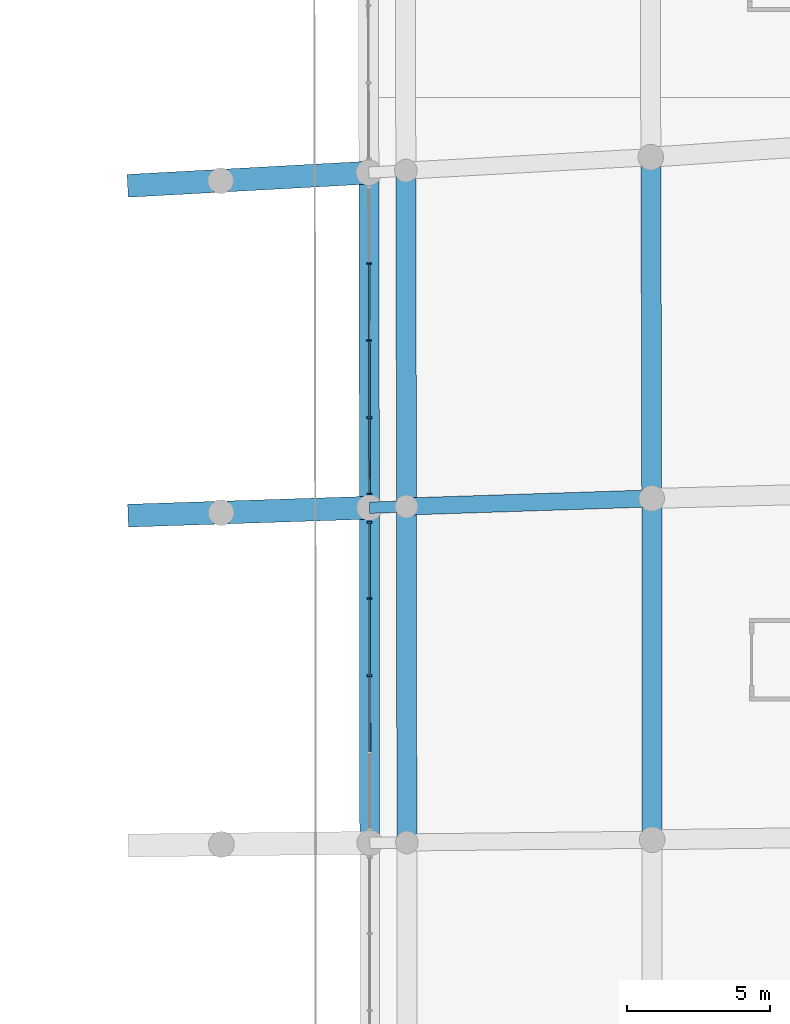
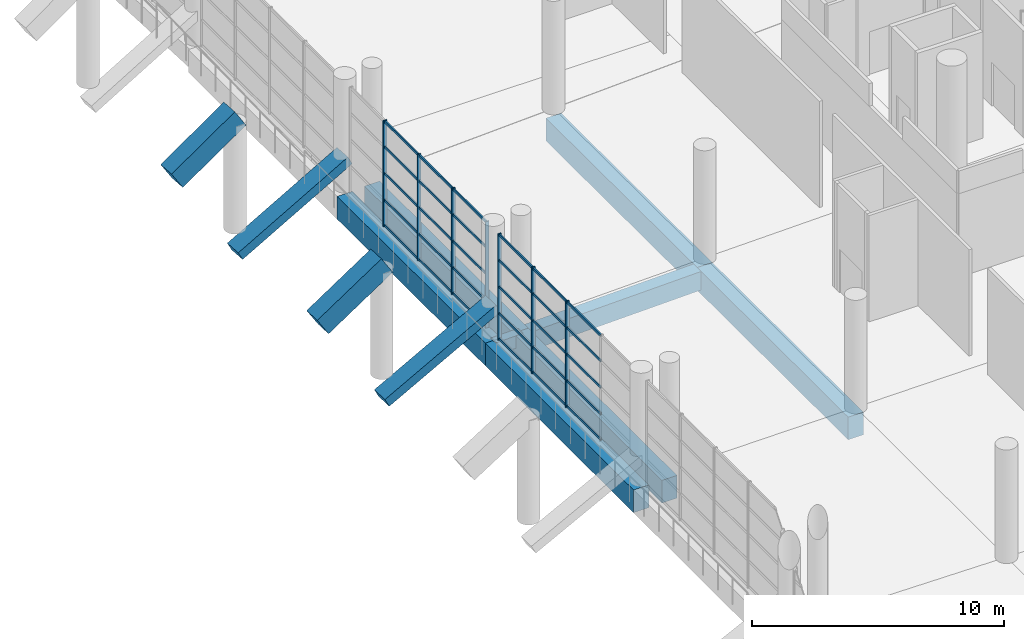
# One storey, part 91 of 271: 37 members, 12 beams, 2 elements without a shape of their own.
"""IFC4 building model written with IfcOpenShell, lengths in metres."""

from ifc_helpers import new_model, si_unit, direction, frame, origin, origin_2d, place, context, subcontext, project, spatial, rectangle, extrude, material, layer, layer_set, material_profile, profile_set, type_object, element, aggregate, save


model = new_model("IFC4")

# Units and contexts
model_context = context("Model", 3, precision=1e-05, world=origin(), true_north=direction((0.0, 1.0)))
body_context = subcontext(model_context, "Body", "Model", "MODEL_VIEW")
ifc_project = project(units=[si_unit("LENGTHUNIT", "METRE"), si_unit("AREAUNIT", "SQUARE_METRE"), si_unit("VOLUMEUNIT", "CUBIC_METRE"), si_unit("PLANEANGLEUNIT", "RADIAN"), si_unit("MASSUNIT", "GRAM", prefix="KILO")], contexts=[model_context])

# Site, building, storey
site_placement = place(None, origin())
site = spatial("IfcSite", under=ifc_project, at=site_placement, CompositionType="ELEMENT")
building_placement = place(site_placement, origin())
building = spatial("IfcBuilding", under=site, at=building_placement, Name="Meseta Stadium", CompositionType="ELEMENT")
storey_placement = place(building_placement, frame((0.0, 0.0, 6.5)))
storey = spatial("IfcBuildingStorey", under=building, at=storey_placement, Name="L01", CompositionType="ELEMENT", Elevation=6.5)

# Curtain wall, members
ifc_material_1 = material(Name="Aluminium", Category="aluminium")
ifc_layer = layer(ifc_material_1, 0.199951171875)
ifc_layer_set = layer_set([ifc_layer], Name="Club glazing curtain wall")
curtain_wall_type = type_object("IfcCurtainWallType", Name="Club glazing curtain wall", PredefinedType="NOTDEFINED", material=ifc_layer_set)
curtain_wall_1_placement = place(storey_placement, origin())
curtain_wall_1 = element("IfcCurtainWall", 1, at=curtain_wall_1_placement, inside=storey, type_object=curtain_wall_type, Name="Club glazing bay 05", PredefinedType="NOTDEFINED")
ifc_material_2 = material(Name="Aluminium", Category="aluminium")
ifc_material_profile_1 = material_profile(ifc_material_2, rectangle(XDim=0.159912109375, YDim=0.06005859375, at=origin_2d()), Name="CW 160x60")
ifc_profile_set_1 = profile_set([ifc_material_profile_1], Name="Aluminium")
member_type_1 = type_object("IfcMemberType", Name="CW mullion 60x160", PredefinedType="MULLION", material=ifc_profile_set_1)
member_1_placement = place(storey_placement, frame((63.59326171875, 11.730712890625, 0.0), z_axis=(0.0, 0.0, 1.0), x_axis=(-0.999999572613, -0.000924539991, 0.0)))
member_1 = element("IfcMember", 2, at=member_1_placement, type_object=member_type_1, Name="CWC mullion 3", PredefinedType="MULLION", context=body_context, shape_type="SweptSolid", body=[
    extrude(rectangle(XDim=0.159912109375, YDim=0.06005859375, at=origin_2d()), origin(), (0.0, 0.0, 1.0), 5.14990234375),
])
member_2_placement = place(storey_placement, frame((63.5908203125, 14.434814453125, 0.0), z_axis=(0.0, 0.0, 1.0), x_axis=(-0.999999572613, -0.000924539991, 0.0)))
member_2 = element("IfcMember", 3, at=member_2_placement, type_object=member_type_1, Name="CWC mullion 4", PredefinedType="MULLION", context=body_context, shape_type="SweptSolid", body=[
    extrude(rectangle(XDim=0.159912109375, YDim=0.06005859375, at=origin_2d()), origin(), (0.0, 0.0, 1.0), 5.14990234375),
])
member_3_placement = place(storey_placement, frame((63.588134765625, 17.10888671875, 0.0), z_axis=(0.0, 0.0, 1.0), x_axis=(-0.999999572613, -0.000924539991, 0.0)))
member_3 = element("IfcMember", 4, at=member_3_placement, type_object=member_type_1, Name="CWC mullion 5", PredefinedType="MULLION", context=body_context, shape_type="SweptSolid", body=[
    extrude(rectangle(XDim=0.159912109375, YDim=0.06005859375, at=origin_2d()), origin(), (0.0, 0.0, 1.0), 5.14990234375),
])

curtain_wall_2_placement = place(storey_placement, origin())
curtain_wall_2 = element("IfcCurtainWall", 5, at=curtain_wall_2_placement, inside=storey, type_object=curtain_wall_type, Name="Club glazing bay 06", PredefinedType="NOTDEFINED")
member_4_placement = place(storey_placement, frame((63.5869140625, 18.097900390625, 0.0), z_axis=(0.0, 0.0, 1.0), x_axis=(-0.999998297516, -0.0018452545, 0.0)))
member_4 = element("IfcMember", 6, at=member_4_placement, type_object=member_type_1, Name="CWC mullion 1", PredefinedType="MULLION", context=body_context, shape_type="SweptSolid", body=[
    extrude(rectangle(XDim=0.159912109375, YDim=0.06005859375, at=origin_2d()), origin(), (0.0, 0.0, 1.0), 5.14990234375),
])
member_5_placement = place(storey_placement, frame((63.58203125, 20.771728515625, 0.0), z_axis=(0.0, 0.0, 1.0), x_axis=(-0.999998297516, -0.0018452545, 0.0)))
member_5 = element("IfcMember", 7, at=member_5_placement, type_object=member_type_1, Name="CWC mullion 2", PredefinedType="MULLION", context=body_context, shape_type="SweptSolid", body=[
    extrude(rectangle(XDim=0.159912109375, YDim=0.06005859375, at=origin_2d()), origin(), (0.0, 0.0, 1.0), 5.14990234375),
])
member_6_placement = place(storey_placement, frame((63.576904296875, 23.475341796875, 0.0), z_axis=(0.0, 0.0, 1.0), x_axis=(-0.999998297516, -0.0018452545, 0.0)))
member_6 = element("IfcMember", 8, at=member_6_placement, type_object=member_type_1, Name="CWC mullion 3", PredefinedType="MULLION", context=body_context, shape_type="SweptSolid", body=[
    extrude(rectangle(XDim=0.159912109375, YDim=0.06005859375, at=origin_2d()), origin(), (0.0, 0.0, 1.0), 5.14990234375),
])
member_7_placement = place(storey_placement, frame((63.572021484375, 26.178955078125, 0.0), z_axis=(0.0, 0.0, 1.0), x_axis=(-0.999998297516, -0.0018452545, 0.0)))
member_7 = element("IfcMember", 9, at=member_7_placement, type_object=member_type_1, Name="CWC mullion 4", PredefinedType="MULLION", context=body_context, shape_type="SweptSolid", body=[
    extrude(rectangle(XDim=0.159912109375, YDim=0.06005859375, at=origin_2d()), origin(), (0.0, 0.0, 1.0), 5.14990234375),
])

# Member
ifc_material_3 = material(Name="Aluminium", Category="aluminium")
ifc_material_profile_2 = material_profile(ifc_material_3, rectangle(XDim=0.06005859375, YDim=0.1201171875, at=origin_2d()), Name="CW 60x120")
ifc_profile_set_2 = profile_set([ifc_material_profile_2], Name="Aluminium")
member_type_2 = type_object("IfcMemberType", Name="CW transom 60x120", PredefinedType="USERDEFINED", material=ifc_profile_set_2)
member_8_placement = place(storey_placement, frame((63.595703125, 9.056884765625, 0.06005859375), z_axis=(-0.000923445908, 0.999999573624, 0.0), x_axis=(-0.999999573624, -0.000923445908, 0.0)))
member_8 = element("IfcMember", 10, at=member_8_placement, type_object=member_type_2, Name="CWC transom 2.1", ObjectType="TRANSOM", PredefinedType="USERDEFINED", context=body_context, shape_type="SweptSolid", body=[
    extrude(rectangle(XDim=0.06005859375, YDim=0.1201171875, at=origin_2d()), origin(), (0.0, 0.0, 1.0), 2.643798828125),
])

member_9_placement = place(storey_placement, frame((63.595703125, 9.056884765625, 1.28759765625), z_axis=(-0.000923445908, 0.999999573624, 0.0), x_axis=(-0.999999573624, -0.000923445908, 0.0)))
member_9 = element("IfcMember", 11, at=member_9_placement, type_object=member_type_2, Name="CWC transom 2.2", ObjectType="TRANSOM", PredefinedType="USERDEFINED", context=body_context, shape_type="SweptSolid", body=[
    extrude(rectangle(XDim=0.06005859375, YDim=0.1201171875, at=origin_2d()), origin(), (0.0, 0.0, 1.0), 2.643798828125),
])

member_10_placement = place(storey_placement, frame((63.595703125, 9.056884765625, 2.574951171875), z_axis=(-0.000923445908, 0.999999573624, 0.0), x_axis=(-0.999999573624, -0.000923445908, 0.0)))
member_10 = element("IfcMember", 12, at=member_10_placement, type_object=member_type_2, Name="CWC transom 2.3", ObjectType="TRANSOM", PredefinedType="USERDEFINED", context=body_context, shape_type="SweptSolid", body=[
    extrude(rectangle(XDim=0.06005859375, YDim=0.1201171875, at=origin_2d()), origin(), (0.0, 0.0, 1.0), 2.643798828125),
])

member_11_placement = place(storey_placement, frame((63.595703125, 9.056884765625, 3.862548828125), z_axis=(-0.000923445908, 0.999999573624, 0.0), x_axis=(-0.999999573624, -0.000923445908, 0.0)))
member_11 = element("IfcMember", 13, at=member_11_placement, type_object=member_type_2, Name="CWC transom 2.4", ObjectType="TRANSOM", PredefinedType="USERDEFINED", context=body_context, shape_type="SweptSolid", body=[
    extrude(rectangle(XDim=0.06005859375, YDim=0.1201171875, at=origin_2d()), origin(), (0.0, 0.0, 1.0), 2.643798828125),
])

member_12_placement = place(storey_placement, frame((63.595703125, 9.056884765625, 5.090087890625), z_axis=(-0.000923445908, 0.999999573624, 0.0), x_axis=(-0.999999573624, -0.000923445908, 0.0)))
member_12 = element("IfcMember", 14, at=member_12_placement, type_object=member_type_2, Name="CWC transom 2.5", ObjectType="TRANSOM", PredefinedType="USERDEFINED", context=body_context, shape_type="SweptSolid", body=[
    extrude(rectangle(XDim=0.06005859375, YDim=0.1201171875, at=origin_2d()), origin(), (0.0, 0.0, 1.0), 2.643798828125),
])

member_13_placement = place(storey_placement, frame((63.59326171875, 11.7607421875, 0.06005859375), z_axis=(-0.000923360641, 0.999999573702, 0.0), x_axis=(-0.999999573702, -0.000923360641, 0.0)))
member_13 = element("IfcMember", 15, at=member_13_placement, type_object=member_type_2, Name="CWC transom 3.1", ObjectType="TRANSOM", PredefinedType="USERDEFINED", context=body_context, shape_type="SweptSolid", body=[
    extrude(rectangle(XDim=0.06005859375, YDim=0.1201171875, at=origin_2d()), origin(), (0.0, 0.0, 1.0), 2.64404296875),
])

member_14_placement = place(storey_placement, frame((63.59326171875, 11.7607421875, 1.28759765625), z_axis=(-0.000923360641, 0.999999573702, 0.0), x_axis=(-0.999999573702, -0.000923360641, 0.0)))
member_14 = element("IfcMember", 16, at=member_14_placement, type_object=member_type_2, Name="CWC transom 3.2", ObjectType="TRANSOM", PredefinedType="USERDEFINED", context=body_context, shape_type="SweptSolid", body=[
    extrude(rectangle(XDim=0.06005859375, YDim=0.1201171875, at=origin_2d()), origin(), (0.0, 0.0, 1.0), 2.64404296875),
])

member_15_placement = place(storey_placement, frame((63.59326171875, 11.7607421875, 2.574951171875), z_axis=(-0.000923360641, 0.999999573702, 0.0), x_axis=(-0.999999573702, -0.000923360641, 0.0)))
member_15 = element("IfcMember", 17, at=member_15_placement, type_object=member_type_2, Name="CWC transom 3.3", ObjectType="TRANSOM", PredefinedType="USERDEFINED", context=body_context, shape_type="SweptSolid", body=[
    extrude(rectangle(XDim=0.06005859375, YDim=0.1201171875, at=origin_2d()), origin(), (0.0, 0.0, 1.0), 2.64404296875),
])

member_16_placement = place(storey_placement, frame((63.59326171875, 11.7607421875, 3.862548828125), z_axis=(-0.000923360641, 0.999999573702, 0.0), x_axis=(-0.999999573702, -0.000923360641, 0.0)))
member_16 = element("IfcMember", 18, at=member_16_placement, type_object=member_type_2, Name="CWC transom 3.4", ObjectType="TRANSOM", PredefinedType="USERDEFINED", context=body_context, shape_type="SweptSolid", body=[
    extrude(rectangle(XDim=0.06005859375, YDim=0.1201171875, at=origin_2d()), origin(), (0.0, 0.0, 1.0), 2.64404296875),
])

member_17_placement = place(storey_placement, frame((63.59326171875, 11.7607421875, 5.090087890625), z_axis=(-0.000923360641, 0.999999573702, 0.0), x_axis=(-0.999999573702, -0.000923360641, 0.0)))
member_17 = element("IfcMember", 19, at=member_17_placement, type_object=member_type_2, Name="CWC transom 3.5", ObjectType="TRANSOM", PredefinedType="USERDEFINED", context=body_context, shape_type="SweptSolid", body=[
    extrude(rectangle(XDim=0.06005859375, YDim=0.1201171875, at=origin_2d()), origin(), (0.0, 0.0, 1.0), 2.64404296875),
])

member_18_placement = place(storey_placement, frame((63.590576171875, 14.46484375, 0.06005859375), z_axis=(-0.000840571292, 0.99999964672, 0.0), x_axis=(-0.99999964672, -0.000840571292, 0.0)))
member_18 = element("IfcMember", 20, at=member_18_placement, type_object=member_type_2, Name="CWC transom 4.1", ObjectType="TRANSOM", PredefinedType="USERDEFINED", context=body_context, shape_type="SweptSolid", body=[
    extrude(rectangle(XDim=0.06005859375, YDim=0.1201171875, at=origin_2d()), origin(), (0.0, 0.0, 1.0), 2.614013671875),
])

member_19_placement = place(storey_placement, frame((63.590576171875, 14.46484375, 1.28759765625), z_axis=(-0.000840571292, 0.99999964672, 0.0), x_axis=(-0.99999964672, -0.000840571292, 0.0)))
member_19 = element("IfcMember", 21, at=member_19_placement, type_object=member_type_2, Name="CWC transom 4.2", ObjectType="TRANSOM", PredefinedType="USERDEFINED", context=body_context, shape_type="SweptSolid", body=[
    extrude(rectangle(XDim=0.06005859375, YDim=0.1201171875, at=origin_2d()), origin(), (0.0, 0.0, 1.0), 2.614013671875),
])

member_20_placement = place(storey_placement, frame((63.590576171875, 14.46484375, 2.574951171875), z_axis=(-0.000840571292, 0.99999964672, 0.0), x_axis=(-0.99999964672, -0.000840571292, 0.0)))
member_20 = element("IfcMember", 22, at=member_20_placement, type_object=member_type_2, Name="CWC transom 4.3", ObjectType="TRANSOM", PredefinedType="USERDEFINED", context=body_context, shape_type="SweptSolid", body=[
    extrude(rectangle(XDim=0.06005859375, YDim=0.1201171875, at=origin_2d()), origin(), (0.0, 0.0, 1.0), 2.614013671875),
])

member_21_placement = place(storey_placement, frame((63.590576171875, 14.46484375, 3.862548828125), z_axis=(-0.000840571292, 0.99999964672, 0.0), x_axis=(-0.99999964672, -0.000840571292, 0.0)))
member_21 = element("IfcMember", 23, at=member_21_placement, type_object=member_type_2, Name="CWC transom 4.4", ObjectType="TRANSOM", PredefinedType="USERDEFINED", context=body_context, shape_type="SweptSolid", body=[
    extrude(rectangle(XDim=0.06005859375, YDim=0.1201171875, at=origin_2d()), origin(), (0.0, 0.0, 1.0), 2.614013671875),
])

member_22_placement = place(storey_placement, frame((63.590576171875, 14.46484375, 5.090087890625), z_axis=(-0.000840571292, 0.99999964672, 0.0), x_axis=(-0.99999964672, -0.000840571292, 0.0)))
member_22 = element("IfcMember", 24, at=member_22_placement, type_object=member_type_2, Name="CWC transom 4.5", ObjectType="TRANSOM", PredefinedType="USERDEFINED", context=body_context, shape_type="SweptSolid", body=[
    extrude(rectangle(XDim=0.06005859375, YDim=0.1201171875, at=origin_2d()), origin(), (0.0, 0.0, 1.0), 2.614013671875),
])

aggregate(curtain_wall_1, [member_1, member_2, member_3, member_8, member_9, member_10, member_11, member_12, member_13, member_14, member_15, member_16, member_17, member_18, member_19, member_20, member_21, member_22])

member_23_placement = place(storey_placement, frame((63.5869140625, 18.1279296875, 0.06005859375), z_axis=(-0.00186810808, 0.999998255085, 0.0), x_axis=(-0.999998255085, -0.00186810808, 0.0)))
member_23 = element("IfcMember", 25, at=member_23_placement, type_object=member_type_2, Name="CWC transom 1.1", ObjectType="TRANSOM", PredefinedType="USERDEFINED", context=body_context, shape_type="SweptSolid", body=[
    extrude(rectangle(XDim=0.06005859375, YDim=0.1201171875, at=origin_2d()), origin(), (0.0, 0.0, 1.0), 2.61376953125),
])

member_24_placement = place(storey_placement, frame((63.5869140625, 18.1279296875, 1.28759765625), z_axis=(-0.00186810808, 0.999998255085, 0.0), x_axis=(-0.999998255085, -0.00186810808, 0.0)))
member_24 = element("IfcMember", 26, at=member_24_placement, type_object=member_type_2, Name="CWC transom 1.2", ObjectType="TRANSOM", PredefinedType="USERDEFINED", context=body_context, shape_type="SweptSolid", body=[
    extrude(rectangle(XDim=0.06005859375, YDim=0.1201171875, at=origin_2d()), origin(), (0.0, 0.0, 1.0), 2.61376953125),
])

member_25_placement = place(storey_placement, frame((63.5869140625, 18.1279296875, 2.574951171875), z_axis=(-0.00186810808, 0.999998255085, 0.0), x_axis=(-0.999998255085, -0.00186810808, 0.0)))
member_25 = element("IfcMember", 27, at=member_25_placement, type_object=member_type_2, Name="CWC transom 1.3", ObjectType="TRANSOM", PredefinedType="USERDEFINED", context=body_context, shape_type="SweptSolid", body=[
    extrude(rectangle(XDim=0.06005859375, YDim=0.1201171875, at=origin_2d()), origin(), (0.0, 0.0, 1.0), 2.61376953125),
])

member_26_placement = place(storey_placement, frame((63.5869140625, 18.1279296875, 3.862548828125), z_axis=(-0.00186810808, 0.999998255085, 0.0), x_axis=(-0.999998255085, -0.00186810808, 0.0)))
member_26 = element("IfcMember", 28, at=member_26_placement, type_object=member_type_2, Name="CWC transom 1.4", ObjectType="TRANSOM", PredefinedType="USERDEFINED", context=body_context, shape_type="SweptSolid", body=[
    extrude(rectangle(XDim=0.06005859375, YDim=0.1201171875, at=origin_2d()), origin(), (0.0, 0.0, 1.0), 2.61376953125),
])

member_27_placement = place(storey_placement, frame((63.5869140625, 18.1279296875, 5.090087890625), z_axis=(-0.00186810808, 0.999998255085, 0.0), x_axis=(-0.999998255085, -0.00186810808, 0.0)))
member_27 = element("IfcMember", 29, at=member_27_placement, type_object=member_type_2, Name="CWC transom 1.5", ObjectType="TRANSOM", PredefinedType="USERDEFINED", context=body_context, shape_type="SweptSolid", body=[
    extrude(rectangle(XDim=0.06005859375, YDim=0.1201171875, at=origin_2d()), origin(), (0.0, 0.0, 1.0), 2.61376953125),
])

member_28_placement = place(storey_placement, frame((63.581787109375, 20.801513671875, 0.06005859375), z_axis=(-0.001754545272, 0.999998460784, 0.0), x_axis=(-0.999998460784, -0.001754545272, 0.0)))
member_28 = element("IfcMember", 30, at=member_28_placement, type_object=member_type_2, Name="CWC transom 2.1", ObjectType="TRANSOM", PredefinedType="USERDEFINED", context=body_context, shape_type="SweptSolid", body=[
    extrude(rectangle(XDim=0.06005859375, YDim=0.1201171875, at=origin_2d()), origin(), (0.0, 0.0, 1.0), 2.643798828125),
])

member_29_placement = place(storey_placement, frame((63.581787109375, 20.801513671875, 1.28759765625), z_axis=(-0.001754545272, 0.999998460784, 0.0), x_axis=(-0.999998460784, -0.001754545272, 0.0)))
member_29 = element("IfcMember", 31, at=member_29_placement, type_object=member_type_2, Name="CWC transom 2.2", ObjectType="TRANSOM", PredefinedType="USERDEFINED", context=body_context, shape_type="SweptSolid", body=[
    extrude(rectangle(XDim=0.06005859375, YDim=0.1201171875, at=origin_2d()), origin(), (0.0, 0.0, 1.0), 2.643798828125),
])

member_30_placement = place(storey_placement, frame((63.581787109375, 20.801513671875, 2.574951171875), z_axis=(-0.001754545272, 0.999998460784, 0.0), x_axis=(-0.999998460784, -0.001754545272, 0.0)))
member_30 = element("IfcMember", 32, at=member_30_placement, type_object=member_type_2, Name="CWC transom 2.3", ObjectType="TRANSOM", PredefinedType="USERDEFINED", context=body_context, shape_type="SweptSolid", body=[
    extrude(rectangle(XDim=0.06005859375, YDim=0.1201171875, at=origin_2d()), origin(), (0.0, 0.0, 1.0), 2.643798828125),
])

member_31_placement = place(storey_placement, frame((63.581787109375, 20.801513671875, 3.862548828125), z_axis=(-0.001754545272, 0.999998460784, 0.0), x_axis=(-0.999998460784, -0.001754545272, 0.0)))
member_31 = element("IfcMember", 33, at=member_31_placement, type_object=member_type_2, Name="CWC transom 2.4", ObjectType="TRANSOM", PredefinedType="USERDEFINED", context=body_context, shape_type="SweptSolid", body=[
    extrude(rectangle(XDim=0.06005859375, YDim=0.1201171875, at=origin_2d()), origin(), (0.0, 0.0, 1.0), 2.643798828125),
])

member_32_placement = place(storey_placement, frame((63.581787109375, 20.801513671875, 5.090087890625), z_axis=(-0.001754545272, 0.999998460784, 0.0), x_axis=(-0.999998460784, -0.001754545272, 0.0)))
member_32 = element("IfcMember", 34, at=member_32_placement, type_object=member_type_2, Name="CWC transom 2.5", ObjectType="TRANSOM", PredefinedType="USERDEFINED", context=body_context, shape_type="SweptSolid", body=[
    extrude(rectangle(XDim=0.06005859375, YDim=0.1201171875, at=origin_2d()), origin(), (0.0, 0.0, 1.0), 2.643798828125),
])

member_33_placement = place(storey_placement, frame((63.576904296875, 23.50537109375, 0.06005859375), z_axis=(-0.001847060019, 0.999998294183, 0.0), x_axis=(-0.999998294183, -0.001847060019, 0.0)))
member_33 = element("IfcMember", 35, at=member_33_placement, type_object=member_type_2, Name="CWC transom 3.1", ObjectType="TRANSOM", PredefinedType="USERDEFINED", context=body_context, shape_type="SweptSolid", body=[
    extrude(rectangle(XDim=0.06005859375, YDim=0.1201171875, at=origin_2d()), origin(), (0.0, 0.0, 1.0), 2.6435546875),
])

member_34_placement = place(storey_placement, frame((63.576904296875, 23.50537109375, 1.28759765625), z_axis=(-0.001847060019, 0.999998294183, 0.0), x_axis=(-0.999998294183, -0.001847060019, 0.0)))
member_34 = element("IfcMember", 36, at=member_34_placement, type_object=member_type_2, Name="CWC transom 3.2", ObjectType="TRANSOM", PredefinedType="USERDEFINED", context=body_context, shape_type="SweptSolid", body=[
    extrude(rectangle(XDim=0.06005859375, YDim=0.1201171875, at=origin_2d()), origin(), (0.0, 0.0, 1.0), 2.6435546875),
])

member_35_placement = place(storey_placement, frame((63.576904296875, 23.50537109375, 2.574951171875), z_axis=(-0.001847060019, 0.999998294183, 0.0), x_axis=(-0.999998294183, -0.001847060019, 0.0)))
member_35 = element("IfcMember", 37, at=member_35_placement, type_object=member_type_2, Name="CWC transom 3.3", ObjectType="TRANSOM", PredefinedType="USERDEFINED", context=body_context, shape_type="SweptSolid", body=[
    extrude(rectangle(XDim=0.06005859375, YDim=0.1201171875, at=origin_2d()), origin(), (0.0, 0.0, 1.0), 2.6435546875),
])

member_36_placement = place(storey_placement, frame((63.576904296875, 23.50537109375, 3.862548828125), z_axis=(-0.001847060019, 0.999998294183, 0.0), x_axis=(-0.999998294183, -0.001847060019, 0.0)))
member_36 = element("IfcMember", 38, at=member_36_placement, type_object=member_type_2, Name="CWC transom 3.4", ObjectType="TRANSOM", PredefinedType="USERDEFINED", context=body_context, shape_type="SweptSolid", body=[
    extrude(rectangle(XDim=0.06005859375, YDim=0.1201171875, at=origin_2d()), origin(), (0.0, 0.0, 1.0), 2.6435546875),
])

member_37_placement = place(storey_placement, frame((63.576904296875, 23.50537109375, 5.090087890625), z_axis=(-0.001847060019, 0.999998294183, 0.0), x_axis=(-0.999998294183, -0.001847060019, 0.0)))
member_37 = element("IfcMember", 39, at=member_37_placement, type_object=member_type_2, Name="CWC transom 3.5", ObjectType="TRANSOM", PredefinedType="USERDEFINED", context=body_context, shape_type="SweptSolid", body=[
    extrude(rectangle(XDim=0.06005859375, YDim=0.1201171875, at=origin_2d()), origin(), (0.0, 0.0, 1.0), 2.6435546875),
])

aggregate(curtain_wall_2, [member_4, member_5, member_6, member_7, member_23, member_24, member_25, member_26, member_27, member_28, member_29, member_30, member_31, member_32, member_33, member_34, member_35, member_36, member_37])

# Beams
ifc_material_4 = material(Name="Concrete C40/50", Category="concrete")
ifc_material_profile_3 = material_profile(ifc_material_4, rectangle(XDim=0.39990234375, YDim=0.60009765625, at=origin_2d()), Name="RC 400x600")
ifc_profile_set_3 = profile_set([ifc_material_profile_3], Name="Concrete C40/50")
beam_type_1 = type_object("IfcBeamType", Name="RC beam 400x600", PredefinedType="BEAM", material=ifc_profile_set_3)
beam_1_placement = place(storey_placement, frame((63.587890625, 17.617919921875, -0.64990234375), z_axis=(0.99945362659, 0.033052205614, 0.0), x_axis=(-0.033052205614, 0.99945362659, 0.0)))
element("IfcBeam", 40, at=beam_1_placement, inside=storey, type_object=beam_type_1, Name="L01 radial beam frame 6 line C to D", PredefinedType="BEAM", context=body_context, shape_type="SweptSolid", body=[
    extrude(rectangle(XDim=0.39990234375, YDim=0.60009765625, at=origin_2d()), origin(), (0.0, 0.0, 1.0), 1.300048828125),
])
ifc_material_5 = material(Name="Concrete C40/50", Category="concrete")
ifc_material_profile_4 = material_profile(ifc_material_5, rectangle(XDim=0.60009765625, YDim=0.89990234375, at=origin_2d()), Name="RC 600x900")
ifc_profile_set_4 = profile_set([ifc_material_profile_4], Name="Concrete C40/50")
beam_type_2 = type_object("IfcBeamType", Name="RC beam 600x900", PredefinedType="BEAM", material=ifc_profile_set_4)
beam_2_placement = place(storey_placement, frame((64.88720703125, 17.660888671875, -0.800048828125), z_axis=(0.999459492737, 0.032874342231, 0.0), x_axis=(-0.032874342231, 0.999459492737, 0.0)))
element("IfcBeam", 41, at=beam_2_placement, inside=storey, type_object=beam_type_2, Name="L01 radial beam frame 6 line D to E", PredefinedType="BEAM", context=body_context, shape_type="SweptSolid", body=[
    extrude(rectangle(XDim=0.60009765625, YDim=0.89990234375, at=origin_2d()), origin(), (0.0, 0.0, 1.0), 8.599853515625),
])
ifc_material_6 = material(Name="Concrete C40/50", Category="concrete")
ifc_material_profile_5 = material_profile(ifc_material_6, rectangle(XDim=0.699951171875, YDim=1.10009765625, at=origin_2d()), Name="RC 700x1100")
ifc_profile_set_5 = profile_set([ifc_material_profile_5], Name="Concrete C40/50")
beam_type_3 = type_object("IfcBeamType", Name="RC beam 700x1100", PredefinedType="BEAM", material=ifc_profile_set_5)
beam_3_placement = place(storey_placement, frame((63.5986328125, 5.872802734375, -0.89990234375), z_axis=(-0.000914608414, 0.999999581746, 0.0), x_axis=(-0.999999581746, -0.000914608414, 0.0)))
element("IfcBeam", 42, at=beam_3_placement, inside=storey, type_object=beam_type_3, Name="L01 ring beam frame 5 line C", PredefinedType="BEAM", context=body_context, shape_type="SweptSolid", body=[
    extrude(rectangle(XDim=0.699951171875, YDim=1.10009765625, at=origin_2d()), origin(), (0.0, 0.0, 1.0), 11.7451171875),
])
beam_4_placement = place(storey_placement, frame((64.898681640625, 5.886962890625, -0.89990234375), z_axis=(-0.000974577566, 0.999999525099, 0.0), x_axis=(-0.999999525099, -0.000974577566, 0.0)))
element("IfcBeam", 43, at=beam_4_placement, inside=storey, type_object=beam_type_3, Name="L01 ring beam frame 5 line D", PredefinedType="BEAM", context=body_context, shape_type="SweptSolid", body=[
    extrude(rectangle(XDim=0.699951171875, YDim=1.10009765625, at=origin_2d()), origin(), (0.0, 0.0, 1.0), 11.77392578125),
])
beam_5_placement = place(storey_placement, frame((73.498046875, 5.981201171875, -0.89990234375), z_axis=(-0.001306174648, 0.999999146954, 0.0), x_axis=(-0.999999146954, -0.001306174648, 0.0)))
element("IfcBeam", 44, at=beam_5_placement, inside=storey, type_object=beam_type_3, Name="L01 ring beam frame 5 line E", PredefinedType="BEAM", context=body_context, shape_type="SweptSolid", body=[
    extrude(rectangle(XDim=0.699951171875, YDim=1.10009765625, at=origin_2d()), origin(), (0.0, 0.0, 1.0), 11.96240234375),
])
beam_6_placement = place(storey_placement, frame((63.587890625, 17.617919921875, -0.89990234375), z_axis=(-0.001850116364, 0.999998288533, 0.0), x_axis=(-0.999998288533, -0.001850116364, 0.0)))
element("IfcBeam", 45, at=beam_6_placement, inside=storey, type_object=beam_type_3, Name="L01 ring beam frame 6 line C", PredefinedType="BEAM", context=body_context, shape_type="SweptSolid", body=[
    extrude(rectangle(XDim=0.699951171875, YDim=1.10009765625, at=origin_2d()), origin(), (0.0, 0.0, 1.0), 11.744384765625),
])
beam_7_placement = place(storey_placement, frame((64.88720703125, 17.660888671875, -0.89990234375), z_axis=(-0.001949394886, 0.999998099928, 0.0), x_axis=(-0.999998099928, -0.001949394886, 0.0)))
element("IfcBeam", 46, at=beam_7_placement, inside=storey, type_object=beam_type_3, Name="L01 ring beam frame 6 line D", PredefinedType="BEAM", context=body_context, shape_type="SweptSolid", body=[
    extrude(rectangle(XDim=0.699951171875, YDim=1.10009765625, at=origin_2d()), origin(), (0.0, 0.0, 1.0), 11.7724609375),
])
beam_8_placement = place(storey_placement, frame((73.482421875, 17.943603515625, -0.89990234375), z_axis=(-0.002592357078, 0.999996639837, 0.0), x_axis=(-0.999996639837, -0.002592357078, 0.0)))
element("IfcBeam", 47, at=beam_8_placement, inside=storey, type_object=beam_type_3, Name="L01 ring beam frame 6 line E", PredefinedType="BEAM", context=body_context, shape_type="SweptSolid", body=[
    extrude(rectangle(XDim=0.699951171875, YDim=1.10009765625, at=origin_2d()), origin(), (0.0, 0.0, 1.0), 11.96044921875),
])
ifc_material_7 = material(Name="Concrete C40/50", Category="concrete")
ifc_material_profile_6 = material_profile(ifc_material_7, rectangle(XDim=0.800048828125, YDim=0.449951171875, at=origin_2d()), Name="RC 800x450")
ifc_profile_set_6 = profile_set([ifc_material_profile_6], Name="Concrete C40/50")
beam_type_4 = type_object("IfcBeamType", Name="RC raker lower 800x450", PredefinedType="USERDEFINED", material=ifc_profile_set_6)
beam_9_placement = place(storey_placement, frame((58.390625, 17.447021484375, -1.208984375), z_axis=(0.890383809502, 0.02927793436, 0.454268064403), x_axis=(-0.032864612406, 0.999459812725, 0.0)))
element("IfcBeam", 48, at=beam_9_placement, inside=storey, type_object=beam_type_4, Name="Raker lower frame 6 lower tier", ObjectType="RAKER", PredefinedType="USERDEFINED", context=body_context, shape_type="SweptSolid", body=[
    extrude(rectangle(XDim=0.800048828125, YDim=0.449951171875, at=origin_2d()), origin(), (0.0, 0.0, 1.0), 5.837158203125),
])
beam_10_placement = place(storey_placement, frame((58.373779296875, 29.077392578125, -1.146240234375), z_axis=(0.889514236791, 0.048808685083, 0.454293005456), x_axis=(-0.054788749724, 0.998497968402, 0.0)))
element("IfcBeam", 49, at=beam_10_placement, inside=storey, type_object=beam_type_4, Name="Raker lower frame 7 lower tier", ObjectType="RAKER", PredefinedType="USERDEFINED", context=body_context, shape_type="SweptSolid", body=[
    extrude(rectangle(XDim=0.800048828125, YDim=0.449951171875, at=origin_2d()), origin(), (0.0, 0.0, 1.0), 5.83740234375),
])
ifc_material_8 = material(Name="Concrete C40/50", Category="concrete")
ifc_material_profile_7 = material_profile(ifc_material_8, rectangle(XDim=0.800048828125, YDim=1.0, at=origin_2d()), Name="RC 800x1000")
ifc_profile_set_7 = profile_set([ifc_material_profile_7], Name="Concrete C40/50")
beam_type_5 = type_object("IfcBeamType", Name="RC raker upper front 800x1000", PredefinedType="USERDEFINED", material=ifc_profile_set_7)
beam_11_placement = place(storey_placement, frame((55.39208984375, 17.348388671875, 3.57470703125), z_axis=(0.847552363453, 0.02787910396, 0.529979005969), x_axis=(-0.032875884593, 0.999459442005, 0.0)))
element("IfcBeam", 50, at=beam_11_placement, inside=storey, type_object=beam_type_5, Name="Raker upper front frame 6 upper tier", ObjectType="RAKER", PredefinedType="USERDEFINED", context=body_context, shape_type="SweptSolid", body=[
    extrude(rectangle(XDim=0.800048828125, YDim=1.0, at=origin_2d()), origin(), (0.0, 0.0, 1.0), 3.537841796875),
])
beam_12_placement = place(storey_placement, frame((55.37841796875, 28.913330078125, 3.651611328125), z_axis=(0.846717350403, 0.046376563654, 0.530017870331), x_axis=(-0.054690216379, 0.998503370166, 0.0)))
element("IfcBeam", 51, at=beam_12_placement, inside=storey, type_object=beam_type_5, Name="Raker upper front frame 7 upper tier", ObjectType="RAKER", PredefinedType="USERDEFINED", context=body_context, shape_type="SweptSolid", body=[
    extrude(rectangle(XDim=0.800048828125, YDim=1.0, at=origin_2d()), origin(), (0.0, 0.0, 1.0), 3.53759765625),
])

save(model, "model.ifc")
